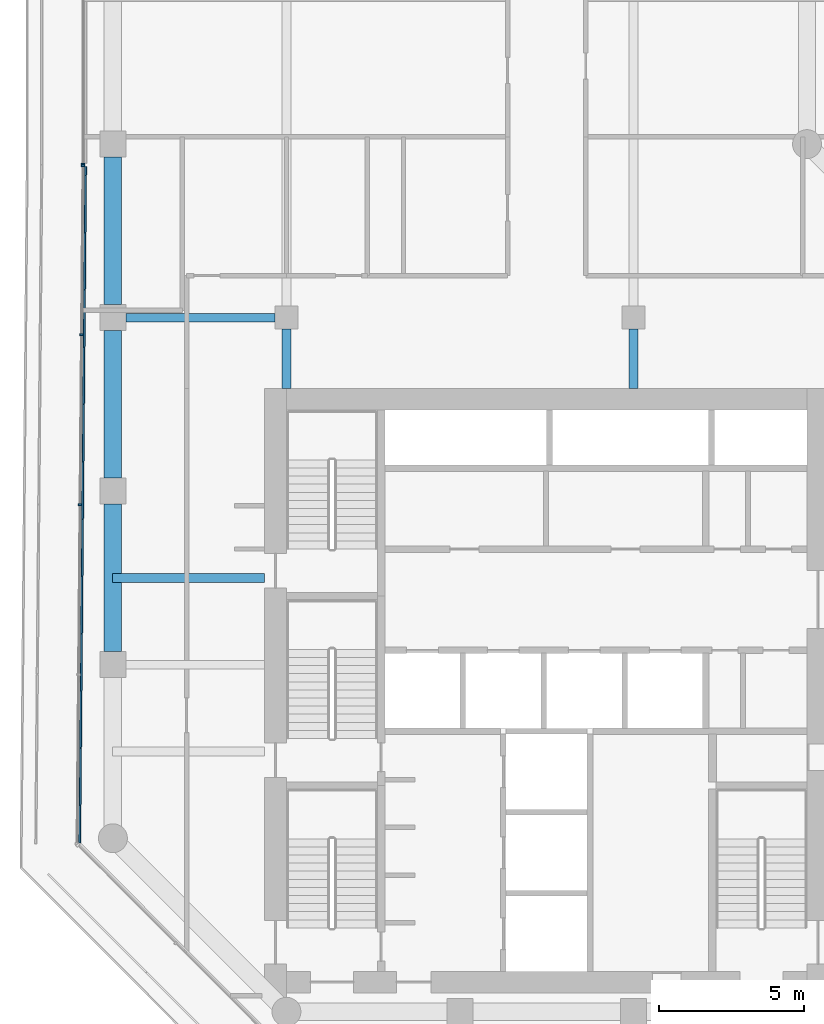
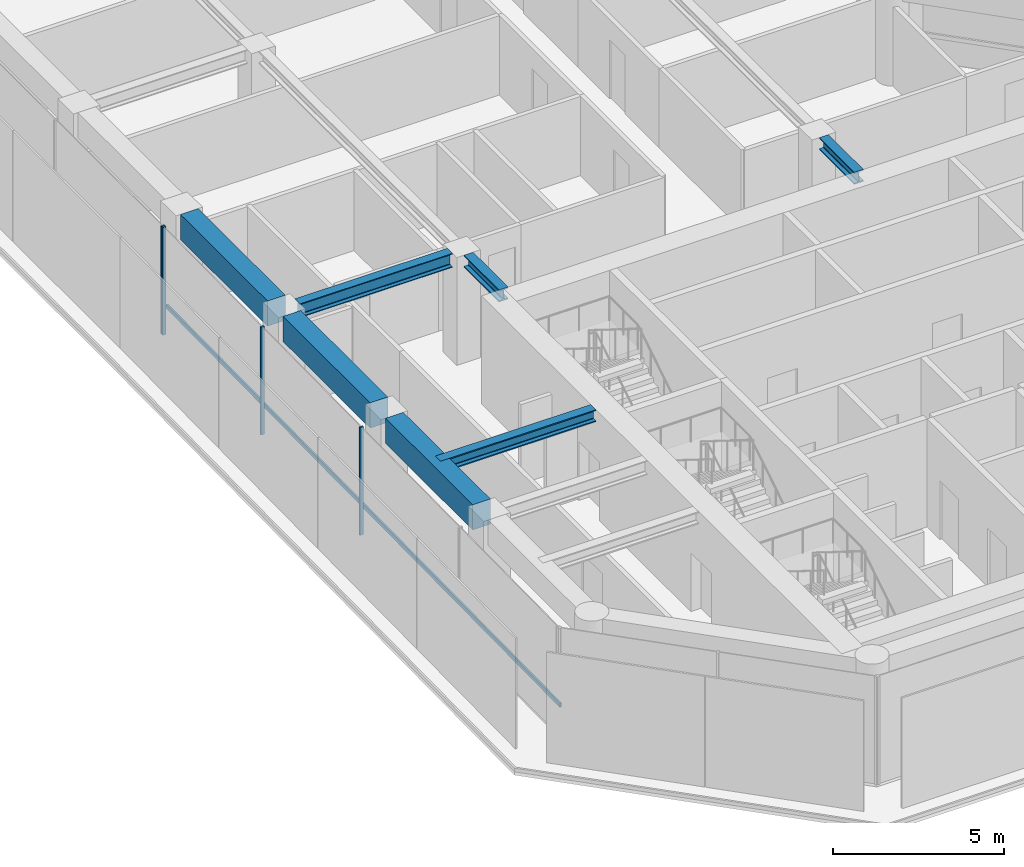
# One storey, part 4 of 23: 7 beams, 5 members, 2 elements without a shape of their own.
"""IFC4 building model written with IfcOpenShell, lengths in metres."""

from ifc_helpers import new_model, si_unit, direction, frame, origin, origin_2d, place, context, subcontext, project, spatial, rectangle, i_section, extrude, material, layer, layer_set, material_profile, profile_set, type_object, element, aggregate, save


model = new_model("IFC4")

# Units and contexts
model_context = context("Model", 3, precision=1e-05, world=origin(), true_north=direction((0.0, 1.0)))
body_context = subcontext(model_context, "Body", "Model", "MODEL_VIEW")
ifc_project = project(units=[si_unit("LENGTHUNIT", "METRE"), si_unit("AREAUNIT", "SQUARE_METRE"), si_unit("VOLUMEUNIT", "CUBIC_METRE"), si_unit("PLANEANGLEUNIT", "RADIAN"), si_unit("MASSUNIT", "GRAM", prefix="KILO")], contexts=[model_context])

# Site, building, storey
site_placement = place(None, origin())
site = spatial("IfcSite", under=ifc_project, at=site_placement, CompositionType="ELEMENT")
building_placement = place(site_placement, origin())
building = spatial("IfcBuilding", under=site, at=building_placement, Name="Welwitschia Terrace Campus", CompositionType="ELEMENT")
storey_placement = place(building_placement, frame((0.0, 0.0, 113.0)))
storey = spatial("IfcBuildingStorey", under=building, at=storey_placement, Name="L25", CompositionType="ELEMENT", Elevation=113.0)

# Beams
ifc_material_1 = material(Name="Steel S355", Category="steel")
ifc_material_profile_1 = material_profile(ifc_material_1, i_section(OverallWidth=0.306884765625, OverallDepth=0.431884765625, WebThickness=0.02099609375, FlangeThickness=0.0400390625, FilletRadius=0.027099609375, at=origin_2d()))
ifc_profile_set_1 = profile_set([ifc_material_profile_1], Name="Steel S355")
beam_type_1 = type_object("IfcBeamType", Name="Interior girder HE 400 M", PredefinedType="BEAM", material=ifc_profile_set_1)
beam_1_placement = place(storey_placement, frame((-0.010009765625, 19.0, 3.634033203125), z_axis=(1.0, 0.0, 0.0), x_axis=(0.0, 1.0, 0.0)))
element("IfcBeam", 1, at=beam_1_placement, inside=storey, type_object=beam_type_1, Name="Girder GB3", PredefinedType="BEAM", context=body_context, shape_type="SweptSolid", body=[
    extrude(i_section(OverallWidth=0.306884765625, OverallDepth=0.431884765625, WebThickness=0.02099609375, FlangeThickness=0.0400390625, FilletRadius=0.027099609375, at=origin_2d()), origin(), (0.0, 0.0, 1.0), 5.259033203125),
])
for number, where, z_axis, x_axis, name in (
    (2, (6.0, 25.551025390625, 3.634033203125), (0.0, 1.0, 0.0), (-1.0, 0.0, 0.0), "Girder GB3"),
    (3, (18.0, 25.551025390625, 3.634033203125), (0.0, 1.0, 0.0), (-1.0, 0.0, 0.0), "Girder GB3"),
):
    element("IfcBeam", number, at=place(storey_placement, frame(where, z_axis=z_axis, x_axis=x_axis)), inside=storey, type_object=beam_type_1, Name=name, PredefinedType="BEAM", context=body_context, shape_type="SweptSolid", body=[
        extrude(i_section(OverallWidth=0.306884765625, OverallDepth=0.431884765625, WebThickness=0.02099609375, FlangeThickness=0.0400390625, FilletRadius=0.027099609375, at=origin_2d()), origin(), (0.0, 0.0, 1.0), 2.048583984375),
    ])

# Curtain wall, member
ifc_material_2 = material(Name="Bronze anodised aluminium", Category="aluminium")
ifc_layer = layer(ifc_material_2, 0.1201171875)
ifc_layer_set = layer_set([ifc_layer], Name="Bronze anodised aluminium")
curtain_wall_type = type_object("IfcCurtainWallType", Name="Curtain wall CW2 tower 6000", PredefinedType="NOTDEFINED", material=ifc_layer_set)
curtain_wall_1_placement = place(storey_placement, origin())
curtain_wall_1 = element("IfcCurtainWall", 4, at=curtain_wall_1_placement, inside=storey, type_object=curtain_wall_type, Name="CW L25.1.0", PredefinedType="NOTDEFINED")
ifc_material_3 = material(Name="Bronze anodised aluminium", Category="aluminium")
ifc_material_profile_2 = material_profile(ifc_material_3, rectangle(XDim=0.1201171875, YDim=0.06005859375, at=origin_2d()))
ifc_profile_set_2 = profile_set([ifc_material_profile_2], Name="Bronze anodised aluminium")
member_type_1 = type_object("IfcMemberType", Name="Mullion 60x120", PredefinedType="MULLION", material=ifc_profile_set_2)
member_1_placement = place(storey_placement, frame((-1.030029296875, 33.313720703125, 0.0), z_axis=(0.0, 0.0, 1.0), x_axis=(1.0, 0.0, 0.0)))
member_1 = element("IfcMember", 5, at=member_1_placement, type_object=member_type_1, Name="Mullion L25.1.0.6", PredefinedType="MULLION", context=body_context, shape_type="SweptSolid", body=[
    extrude(rectangle(XDim=0.1201171875, YDim=0.06005859375, at=origin_2d()), origin(), (0.0, 0.0, 1.0), 3.85009765625),
])
aggregate(curtain_wall_1, [member_1])

# Curtain wall, members
curtain_wall_2_placement = place(storey_placement, origin())
curtain_wall_2 = element("IfcCurtainWall", 6, at=curtain_wall_2_placement, inside=storey, type_object=curtain_wall_type, Name="CW L25.2.0", PredefinedType="NOTDEFINED")
member_2_placement = place(storey_placement, frame((-1.0302734375, 33.253662109375, 0.0), z_axis=(0.0, 0.0, 1.0), x_axis=(0.999961923064, -0.008726535498, 0.0)))
member_2 = element("IfcMember", 7, at=member_2_placement, type_object=member_type_1, Name="Mullion L25.2.0.0", PredefinedType="MULLION", context=body_context, shape_type="SweptSolid", body=[
    extrude(rectangle(XDim=0.1201171875, YDim=0.06005859375, at=origin_2d()), origin(), (0.0, 0.0, 1.0), 3.85009765625),
])
member_3_placement = place(storey_placement, frame((-1.081298828125, 27.407958984375, 0.0), z_axis=(0.0, 0.0, 1.0), x_axis=(0.999961923064, -0.008726535498, 0.0)))
member_3 = element("IfcMember", 8, at=member_3_placement, type_object=member_type_1, Name="Mullion L25.2.0.1", PredefinedType="MULLION", context=body_context, shape_type="SweptSolid", body=[
    extrude(rectangle(XDim=0.1201171875, YDim=0.06005859375, at=origin_2d()), origin(), (0.0, 0.0, 1.0), 3.85009765625),
])
member_4_placement = place(storey_placement, frame((-1.132568359375, 21.5322265625, 0.0), z_axis=(0.0, 0.0, 1.0), x_axis=(0.999961923064, -0.008726535498, 0.0)))
member_4 = element("IfcMember", 9, at=member_4_placement, type_object=member_type_1, Name="Mullion L25.2.0.2", PredefinedType="MULLION", context=body_context, shape_type="SweptSolid", body=[
    extrude(rectangle(XDim=0.1201171875, YDim=0.06005859375, at=origin_2d()), origin(), (0.0, 0.0, 1.0), 3.85009765625),
])

# Beams
ifc_material_4 = material(Name="Steel S355", Category="steel")
ifc_material_profile_3 = material_profile(ifc_material_4, i_section(OverallWidth=0.300048828125, OverallDepth=0.5, WebThickness=0.014404296875, FlangeThickness=0.028076171875, FilletRadius=0.027099609375, at=origin_2d()))
ifc_profile_set_3 = profile_set([ifc_material_profile_3], Name="Steel S355")
beam_type_2 = type_object("IfcBeamType", Name="Primary beam HE 500 B", PredefinedType="BEAM", material=ifc_profile_set_3)
beam_2_placement = place(storey_placement, frame((0.450439453125, 28.0, 3.60009765625), z_axis=(1.0, 0.0, 0.0), x_axis=(0.0, 1.0, 0.0)))
element("IfcBeam", 10, at=beam_2_placement, inside=storey, type_object=beam_type_2, Name="Primary beam PB3", PredefinedType="BEAM", context=body_context, shape_type="SweptSolid", body=[
    extrude(i_section(OverallWidth=0.300048828125, OverallDepth=0.5, WebThickness=0.014404296875, FlangeThickness=0.028076171875, FilletRadius=0.027099609375, at=origin_2d()), origin(), (0.0, 0.0, 1.0), 5.149169921875),
])
ifc_material_5 = material(Name="Concrete C60/75", Category="concrete")
ifc_material_profile_4 = material_profile(ifc_material_5, rectangle(XDim=0.60009765625, YDim=0.89990234375, at=origin_2d()))
ifc_profile_set_4 = profile_set([ifc_material_profile_4], Name="Concrete C60/75")
beam_type_3 = type_object("IfcBeamType", Name="Ring spandrel 600x900", PredefinedType="SPANDREL", material=ifc_profile_set_4)
for number, where, z_axis, x_axis, name in (
    (11, (0.0, 33.549560546875, 3.39990234375), (0.0, -1.0, 0.0), (1.0, 0.0, 0.0), "Spandrel SP2"),
    (12, (0.0, 27.549560546875, 3.39990234375), (0.0, -1.0, 0.0), (1.0, 0.0, 0.0), "Spandrel SP2"),
    (13, (0.0, 21.549560546875, 3.39990234375), (0.0, -1.0, 0.0), (1.0, 0.0, 0.0), "Spandrel SP2"),
):
    element("IfcBeam", number, at=place(storey_placement, frame(where, z_axis=z_axis, x_axis=x_axis)), inside=storey, type_object=beam_type_3, Name=name, PredefinedType="SPANDREL", context=body_context, shape_type="SweptSolid", body=[
        extrude(rectangle(XDim=0.60009765625, YDim=0.89990234375, at=origin_2d()), origin(), (0.0, 0.0, 1.0), 5.09912109375),
    ])

# Member
ifc_material_6 = material(Name="Bronze anodised aluminium", Category="aluminium")
ifc_material_profile_5 = material_profile(ifc_material_6, rectangle(XDim=0.06005859375, YDim=0.14990234375, at=origin_2d()))
ifc_profile_set_5 = profile_set([ifc_material_profile_5], Name="Bronze anodised aluminium")
member_type_2 = type_object("IfcMemberType", Name="Transom 60x150", PredefinedType="USERDEFINED", material=ifc_profile_set_5)
member_5_placement = place(storey_placement, frame((-0.9404296875, 33.222900390625, 1.0), z_axis=(-0.008728458926, -0.999961906277, 0.0), x_axis=(0.999961906277, -0.008728458926, 0.0)))
member_5 = element("IfcMember", 14, at=member_5_placement, type_object=member_type_2, Name="Transom L25.2.0", ObjectType="TRANSOM", PredefinedType="USERDEFINED", context=body_context, shape_type="SweptSolid", body=[
    extrude(rectangle(XDim=0.06005859375, YDim=0.14990234375, at=origin_2d()), origin(), (0.0, 0.0, 1.0), 23.383544921875),
])

aggregate(curtain_wall_2, [member_2, member_3, member_4, member_5])

save(model, "model.ifc")
